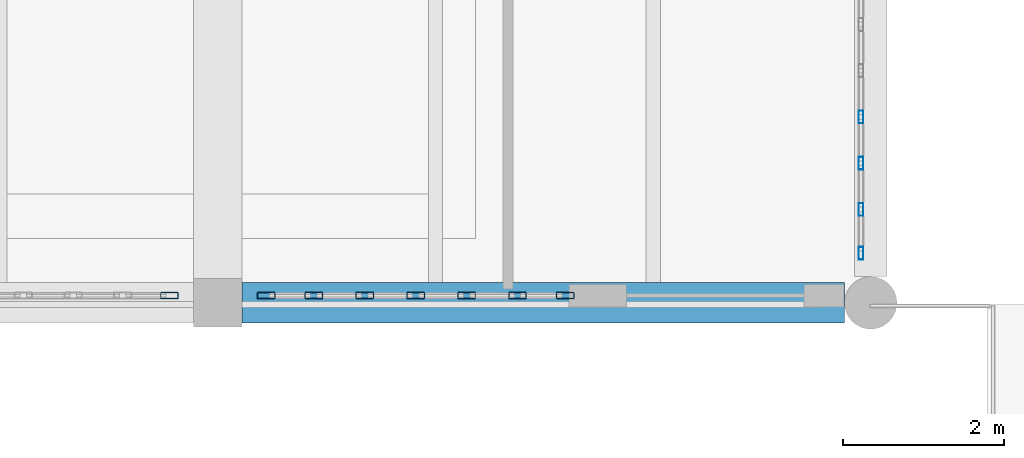
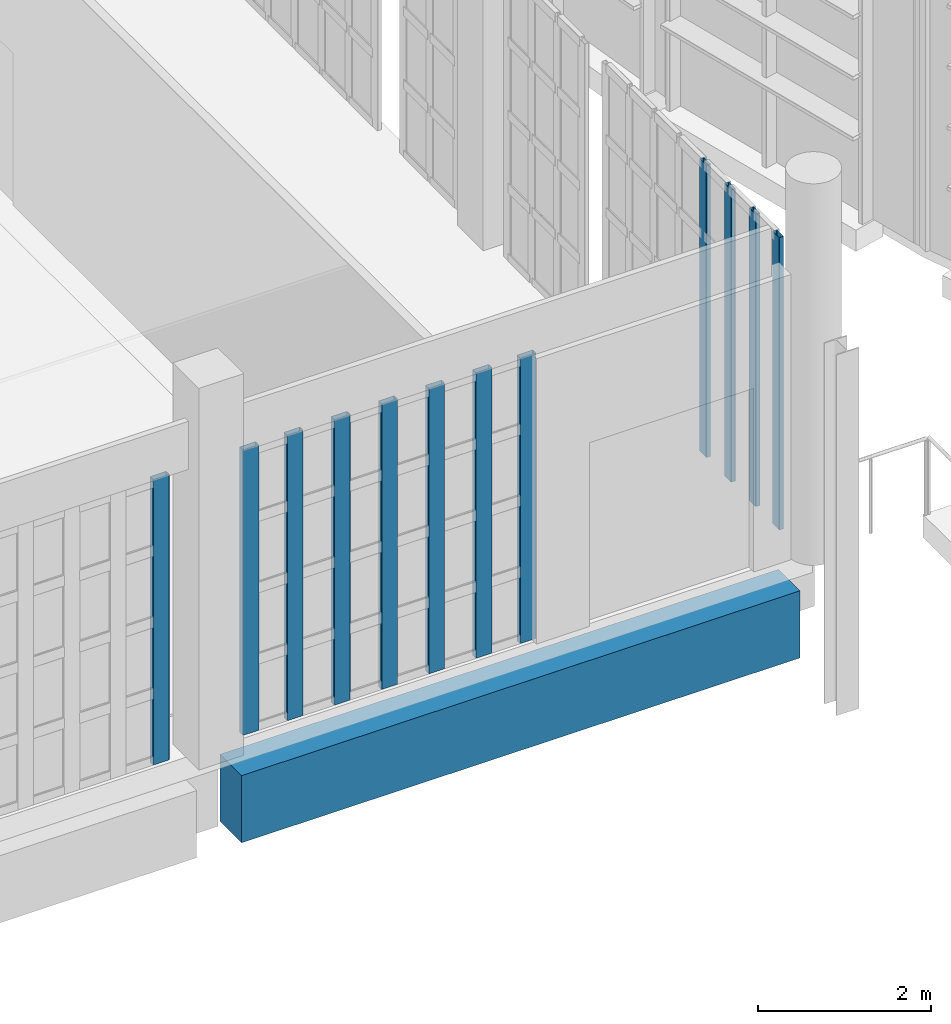
# One storey, part 159 of 372: 12 members, 1 beam, 3 elements without a shape of their own.
"""IFC4 building model written with IfcOpenShell, lengths in metres."""

from ifc_helpers import new_model, si_unit, direction, frame, origin, origin_2d, place, context, subcontext, project, spatial, rectangle, hollow_rectangle, extrude, material, material_profile, profile_set, type_object, element, aggregate, save


model = new_model("IFC4")

# Units and contexts
model_context = context("Model", 3, precision=1e-05, world=origin(), true_north=direction((0.0, 1.0)))
body_context = subcontext(model_context, "Body", "Model", "MODEL_VIEW")
ifc_project = project(units=[si_unit("LENGTHUNIT", "METRE"), si_unit("AREAUNIT", "SQUARE_METRE"), si_unit("VOLUMEUNIT", "CUBIC_METRE"), si_unit("PLANEANGLEUNIT", "RADIAN"), si_unit("MASSUNIT", "GRAM", prefix="KILO")], contexts=[model_context])

# Site, building, storey
site_placement = place(None, origin())
site = spatial("IfcSite", under=ifc_project, at=site_placement, CompositionType="ELEMENT")
building_placement = place(site_placement, origin())
building = spatial("IfcBuilding", under=site, at=building_placement, Name="Kaelora Sail Theatre", CompositionType="ELEMENT")
storey_placement = place(building_placement, origin())
storey = spatial("IfcBuildingStorey", under=building, at=storey_placement, Name="L00", CompositionType="ELEMENT", Elevation=0.0)

# Curtain wall, members
ifc_material_1 = material(Name="Anodised aluminium and solar-control low-E IGU", Category="aluminium")
curtain_wall_type = type_object("IfcCurtainWallType", Name="ARC-CW-CW-FOY1", PredefinedType="NOTDEFINED", material=ifc_material_1)
curtain_wall_1_placement = place(storey_placement, origin())
curtain_wall_1 = element("IfcCurtainWall", 1, at=curtain_wall_1_placement, inside=storey, type_object=curtain_wall_type, Name="West Interstitial Foyer East Glazed Return L00-01", PredefinedType="NOTDEFINED")
ifc_material_2 = material(Name="Anodised aluminium 6063-T6", Category="aluminium")
ifc_material_profile_1 = material_profile(ifc_material_2, hollow_rectangle(XDim=0.06005859375, YDim=0.159912109375, WallThickness=0.00390625, InnerFilletRadius=0.00390625, OuterFilletRadius=0.008056640625, at=origin_2d()), Name="ALU-MULL 60x160x4")
ifc_profile_set_1 = profile_set([ifc_material_profile_1], Name="Anodised aluminium 6063-T6")
member_type_1 = type_object("IfcMemberType", Name="ARC-MEM-ML-160", PredefinedType="MULLION", material=ifc_profile_set_1)
member_1_placement = place(storey_placement, frame((74.280029296875, 39.31494140625, 0.0), z_axis=(0.0, 0.0, 1.0), x_axis=(-1.0, 0.0, 0.0)))
member_1 = element("IfcMember", 2, at=member_1_placement, type_object=member_type_1, Name="CW-FOY1 mullion 1", PredefinedType="MULLION", context=body_context, shape_type="SweptSolid", body=[
    extrude(hollow_rectangle(XDim=0.06005859375, YDim=0.159912109375, WallThickness=0.00390625, InnerFilletRadius=0.00390625, OuterFilletRadius=0.008056640625, at=origin_2d()), origin(), (0.0, 0.0, 1.0), 4.136962890625),
])
member_2_placement = place(storey_placement, frame((74.280029296875, 39.858642578125, 0.0), z_axis=(0.0, 0.0, 1.0), x_axis=(-1.0, 0.0, 0.0)))
member_2 = element("IfcMember", 3, at=member_2_placement, type_object=member_type_1, Name="CW-FOY1 mullion 2", PredefinedType="MULLION", context=body_context, shape_type="SweptSolid", body=[
    extrude(hollow_rectangle(XDim=0.06005859375, YDim=0.159912109375, WallThickness=0.00390625, InnerFilletRadius=0.00390625, OuterFilletRadius=0.008056640625, at=origin_2d()), origin(), (0.0, 0.0, 1.0), 4.136962890625),
])
member_3_placement = place(storey_placement, frame((74.280029296875, 40.43212890625, 0.0), z_axis=(0.0, 0.0, 1.0), x_axis=(-1.0, 0.0, 0.0)))
member_3 = element("IfcMember", 4, at=member_3_placement, type_object=member_type_1, Name="CW-FOY1 mullion 3", PredefinedType="MULLION", context=body_context, shape_type="SweptSolid", body=[
    extrude(hollow_rectangle(XDim=0.06005859375, YDim=0.159912109375, WallThickness=0.00390625, InnerFilletRadius=0.00390625, OuterFilletRadius=0.008056640625, at=origin_2d()), origin(), (0.0, 0.0, 1.0), 4.136962890625),
])
member_4_placement = place(storey_placement, frame((74.280029296875, 41.005615234375, 0.0), z_axis=(0.0, 0.0, 1.0), x_axis=(-1.0, 0.0, 0.0)))
member_4 = element("IfcMember", 5, at=member_4_placement, type_object=member_type_1, Name="CW-FOY1 mullion 4", PredefinedType="MULLION", context=body_context, shape_type="SweptSolid", body=[
    extrude(hollow_rectangle(XDim=0.06005859375, YDim=0.159912109375, WallThickness=0.00390625, InnerFilletRadius=0.00390625, OuterFilletRadius=0.008056640625, at=origin_2d()), origin(), (0.0, 0.0, 1.0), 4.136962890625),
])
aggregate(curtain_wall_1, [member_1, member_2, member_3, member_4])

# Curtain wall, member
curtain_wall_2_placement = place(storey_placement, origin())
curtain_wall_2 = element("IfcCurtainWall", 6, at=curtain_wall_2_placement, inside=storey, type_object=curtain_wall_type, Name="West Interstitial Sail Foyer Curtain Wall L00-02", PredefinedType="NOTDEFINED")
ifc_material_3 = material(Name="Anodised aluminium 6063-T6", Category="aluminium")
ifc_material_profile_2 = material_profile(ifc_material_3, hollow_rectangle(XDim=0.080078125, YDim=0.219970703125, WallThickness=0.0048828125, InnerFilletRadius=0.0048828125, OuterFilletRadius=0.010009765625, at=origin_2d()), Name="ALU-MULL 80x220x5")
ifc_profile_set_2 = profile_set([ifc_material_profile_2], Name="Anodised aluminium 6063-T6")
member_type_2 = type_object("IfcMemberType", Name="ARC-MEM-ML-220", PredefinedType="MULLION", material=ifc_profile_set_2)
member_5_placement = place(storey_placement, frame((65.699951171875, 38.7900390625, 0.0), z_axis=(0.0, 0.0, 1.0), x_axis=(0.0, 1.0, 0.0)))
member_5 = element("IfcMember", 7, at=member_5_placement, type_object=member_type_2, Name="CW-FOY1 mullion 6", PredefinedType="MULLION", context=body_context, shape_type="SweptSolid", body=[
    extrude(hollow_rectangle(XDim=0.080078125, YDim=0.219970703125, WallThickness=0.0048828125, InnerFilletRadius=0.0048828125, OuterFilletRadius=0.010009765625, at=origin_2d()), origin(), (0.0, 0.0, 1.0), 4.037109375),
])
aggregate(curtain_wall_2, [member_5])

# Curtain wall, members
curtain_wall_3_placement = place(storey_placement, origin())
curtain_wall_3 = element("IfcCurtainWall", 8, at=curtain_wall_3_placement, inside=storey, type_object=curtain_wall_type, Name="West Interstitial Sail Foyer Curtain Wall L00-03", PredefinedType="NOTDEFINED")
member_6_placement = place(storey_placement, frame((66.89990234375, 38.7900390625, 0.0), z_axis=(0.0, 0.0, 1.0), x_axis=(0.0, 1.0, 0.0)))
member_6 = element("IfcMember", 9, at=member_6_placement, type_object=member_type_2, Name="CW-FOY1 mullion 1", PredefinedType="MULLION", context=body_context, shape_type="SweptSolid", body=[
    extrude(hollow_rectangle(XDim=0.080078125, YDim=0.219970703125, WallThickness=0.0048828125, InnerFilletRadius=0.0048828125, OuterFilletRadius=0.010009765625, at=origin_2d()), origin(), (0.0, 0.0, 1.0), 4.037109375),
])
member_7_placement = place(storey_placement, frame((67.49169921875, 38.7900390625, 0.0), z_axis=(0.0, 0.0, 1.0), x_axis=(0.0, 1.0, 0.0)))
member_7 = element("IfcMember", 10, at=member_7_placement, type_object=member_type_2, Name="CW-FOY1 mullion 2", PredefinedType="MULLION", context=body_context, shape_type="SweptSolid", body=[
    extrude(hollow_rectangle(XDim=0.080078125, YDim=0.219970703125, WallThickness=0.0048828125, InnerFilletRadius=0.0048828125, OuterFilletRadius=0.010009765625, at=origin_2d()), origin(), (0.0, 0.0, 1.0), 4.037109375),
])
member_8_placement = place(storey_placement, frame((68.123291015625, 38.7900390625, 0.0), z_axis=(0.0, 0.0, 1.0), x_axis=(0.0, 1.0, 0.0)))
member_8 = element("IfcMember", 11, at=member_8_placement, type_object=member_type_2, Name="CW-FOY1 mullion 3", PredefinedType="MULLION", context=body_context, shape_type="SweptSolid", body=[
    extrude(hollow_rectangle(XDim=0.080078125, YDim=0.219970703125, WallThickness=0.0048828125, InnerFilletRadius=0.0048828125, OuterFilletRadius=0.010009765625, at=origin_2d()), origin(), (0.0, 0.0, 1.0), 4.037109375),
])
member_9_placement = place(storey_placement, frame((68.7548828125, 38.7900390625, 0.0), z_axis=(0.0, 0.0, 1.0), x_axis=(0.0, 1.0, 0.0)))
member_9 = element("IfcMember", 12, at=member_9_placement, type_object=member_type_2, Name="CW-FOY1 mullion 4", PredefinedType="MULLION", context=body_context, shape_type="SweptSolid", body=[
    extrude(hollow_rectangle(XDim=0.080078125, YDim=0.219970703125, WallThickness=0.0048828125, InnerFilletRadius=0.0048828125, OuterFilletRadius=0.010009765625, at=origin_2d()), origin(), (0.0, 0.0, 1.0), 4.037109375),
])
member_10_placement = place(storey_placement, frame((69.38671875, 38.7900390625, 0.0), z_axis=(0.0, 0.0, 1.0), x_axis=(0.0, 1.0, 0.0)))
member_10 = element("IfcMember", 13, at=member_10_placement, type_object=member_type_2, Name="CW-FOY1 mullion 5", PredefinedType="MULLION", context=body_context, shape_type="SweptSolid", body=[
    extrude(hollow_rectangle(XDim=0.080078125, YDim=0.219970703125, WallThickness=0.0048828125, InnerFilletRadius=0.0048828125, OuterFilletRadius=0.010009765625, at=origin_2d()), origin(), (0.0, 0.0, 1.0), 4.037109375),
])
member_11_placement = place(storey_placement, frame((70.018310546875, 38.7900390625, 0.0), z_axis=(0.0, 0.0, 1.0), x_axis=(0.0, 1.0, 0.0)))
member_11 = element("IfcMember", 14, at=member_11_placement, type_object=member_type_2, Name="CW-FOY1 mullion 6", PredefinedType="MULLION", context=body_context, shape_type="SweptSolid", body=[
    extrude(hollow_rectangle(XDim=0.080078125, YDim=0.219970703125, WallThickness=0.0048828125, InnerFilletRadius=0.0048828125, OuterFilletRadius=0.010009765625, at=origin_2d()), origin(), (0.0, 0.0, 1.0), 4.037109375),
])
member_12_placement = place(storey_placement, frame((70.610107421875, 38.7900390625, 0.0), z_axis=(0.0, 0.0, 1.0), x_axis=(0.0, 1.0, 0.0)))
member_12 = element("IfcMember", 15, at=member_12_placement, type_object=member_type_2, Name="CW-FOY1 mullion 7", PredefinedType="MULLION", context=body_context, shape_type="SweptSolid", body=[
    extrude(hollow_rectangle(XDim=0.080078125, YDim=0.219970703125, WallThickness=0.0048828125, InnerFilletRadius=0.0048828125, OuterFilletRadius=0.010009765625, at=origin_2d()), origin(), (0.0, 0.0, 1.0), 4.037109375),
])
aggregate(curtain_wall_3, [member_6, member_7, member_8, member_9, member_10, member_11, member_12])

# Beam
ifc_material_4 = material(Name="Concrete C45/55", Category="concrete")
ifc_material_profile_3 = material_profile(ifc_material_4, rectangle(XDim=0.5, YDim=0.949951171875, at=origin_2d()), Name="RC-GRD 500x950")
ifc_profile_set_3 = profile_set([ifc_material_profile_3], Name="Concrete C45/55")
beam_type = type_object("IfcBeamType", Name="STR-BM-GR-RC5095", PredefinedType="T_BEAM", material=ifc_profile_set_3)
beam_placement = place(storey_placement, frame((66.60009765625, 38.699951171875, -0.794921875), z_axis=(1.0, 0.0, 0.0), x_axis=(0.0, 1.0, 0.0)))
element("IfcBeam", 16, at=beam_placement, inside=storey, type_object=beam_type, Name="Primary beam F 9-10 (L00)", PredefinedType="T_BEAM", context=body_context, shape_type="SweptSolid", body=[
    extrude(rectangle(XDim=0.5, YDim=0.949951171875, at=origin_2d()), origin(), (0.0, 0.0, 1.0), 7.474853515625),
])

save(model, "model.ifc")
